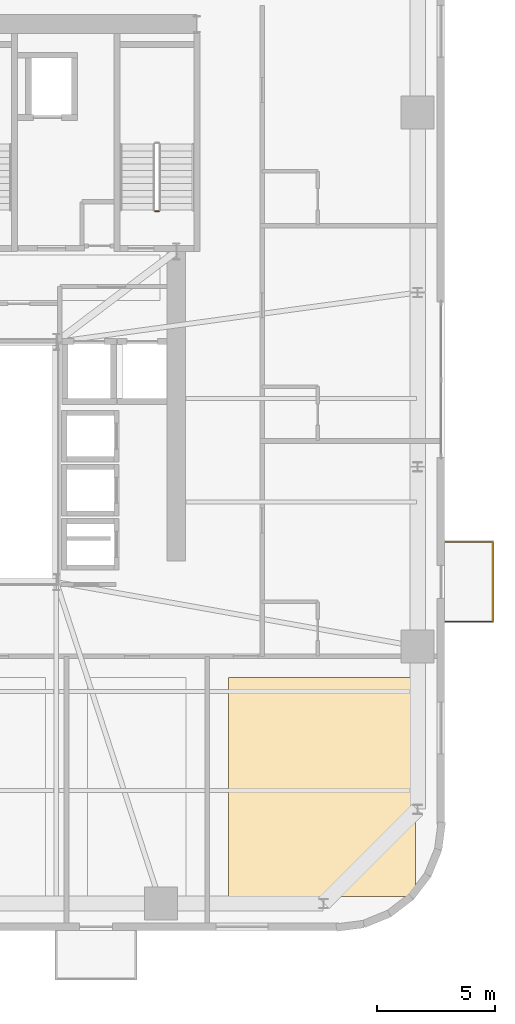
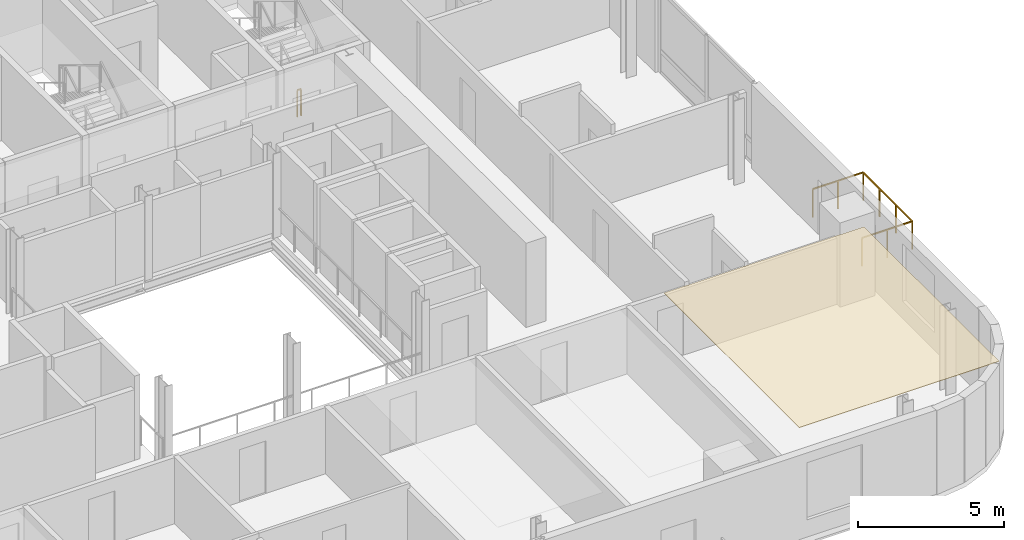
# One storey, part 14 of 15: 2 railings, 1 covering.
"""IFC4 building model written with IfcOpenShell, lengths in metres."""

from ifc_helpers import new_model, si_unit, direction, frame, origin, origin_2d, place, context, subcontext, project, spatial, polyline, rectangle, outline, extrude, source, transform, mapped, material, layer, layer_set, type_object, element, save


model = new_model("IFC4")

# Units and contexts
model_context = context("Model", 3, precision=1e-05, world=origin(), true_north=direction((0.0, 1.0)))
body_context = subcontext(model_context, "Body", "Model", "MODEL_VIEW")
ifc_project = project(units=[si_unit("LENGTHUNIT", "METRE"), si_unit("AREAUNIT", "SQUARE_METRE"), si_unit("VOLUMEUNIT", "CUBIC_METRE"), si_unit("PLANEANGLEUNIT", "RADIAN"), si_unit("MASSUNIT", "GRAM", prefix="KILO")], contexts=[model_context])

# Site, building, storey
site_placement = place(None, origin())
site = spatial("IfcSite", under=ifc_project, at=site_placement, CompositionType="ELEMENT")
building_placement = place(site_placement, origin())
building = spatial("IfcBuilding", under=site, at=building_placement, Name="Vardaveli Station Tower", CompositionType="ELEMENT")
storey_placement = place(building_placement, frame((0.0, 0.0, 207.300048828125)))
storey = spatial("IfcBuildingStorey", under=building, at=storey_placement, Name="L53", CompositionType="ELEMENT", Elevation=207.300048828125)

# Covering
ifc_material_1 = material(Name="Perforated acoustic mineral ceiling")
ifc_layer = layer(ifc_material_1, 0.02001953125, Name="Perforated acoustic mineral ceiling")
ifc_layer_set = layer_set([ifc_layer], Name="Perforated acoustic mineral ceiling")
covering_type = type_object("IfcCoveringType", Name="COV-CEIL-AC20", PredefinedType="CEILING", material=ifc_layer_set)
covering_placement = place(storey_placement, frame((0.0, 0.0, 3.514892578125)))
element("IfcCovering", 1, at=covering_placement, inside=storey, type_object=covering_type, Name="CEIL-L53-4", PredefinedType="CEILING", context=body_context, shape_type="SweptSolid", body=[
    extrude(outline(polyline([(48.719970703125, 3.25), (56.64990234375, 3.25), (56.64990234375, 12.550048828125), (48.719970703125, 12.550048828125), (48.719970703125, 3.25)])), origin(), (0.0, 0.0, 1.0), 0.02001953125),
])

# Railings
ifc_material_2 = material(Name="Laminated glass and stainless steel balustrade", Category="steel")
railing_type_1 = type_object("IfcRailingType", Name="RL-BAL-1200", PredefinedType="BALUSTRADE", material=ifc_material_2)
shared_shape_1 = source(origin(), body_context, "Body", "SweptSolid", [
    extrude(rectangle(XDim=0.048095703125, YDim=0.048095703125, at=origin_2d()), frame((0.0, 0.0, 1.17578125), z_axis=(1.0, 0.0, 0.0), x_axis=(0.0, 1.0, 0.0)), (0.0, 0.0, 1.0), 2.0),
    extrude(rectangle(XDim=0.048095703125, YDim=0.048095703125, at=origin_2d()), frame((2.0, 0.0, 1.17578125), z_axis=(0.0, 1.0, 0.0), x_axis=(-1.0, 0.0, 0.0)), (0.0, 0.0, 1.0), 3.3798828125),
    extrude(rectangle(XDim=0.048095703125, YDim=0.048095703125, at=origin_2d()), frame((2.0, 3.3798828125, 1.17578125), z_axis=(-1.0, 0.0, 0.0), x_axis=(0.0, -1.0, 0.0)), (0.0, 0.0, 1.0), 2.0),
    extrude(rectangle(XDim=0.0419921875, YDim=0.0419921875, at=origin_2d()), origin(), (0.0, 0.0, 1.0), 1.15185546875),
    extrude(rectangle(XDim=0.0419921875, YDim=0.0419921875, at=origin_2d()), frame((1.0, 0.0, 0.0)), (0.0, 0.0, 1.0), 1.15185546875),
    extrude(rectangle(XDim=0.0419921875, YDim=0.0419921875, at=origin_2d()), frame((2.0, 0.0, 0.0)), (0.0, 0.0, 1.0), 1.15185546875),
    extrude(rectangle(XDim=0.0419921875, YDim=0.0419921875, at=origin_2d()), frame((2.0, 1.126708984375, 0.0)), (0.0, 0.0, 1.0), 1.15185546875),
    extrude(rectangle(XDim=0.0419921875, YDim=0.0419921875, at=origin_2d()), frame((2.0, 2.253173828125, 0.0)), (0.0, 0.0, 1.0), 1.15185546875),
    extrude(rectangle(XDim=0.0419921875, YDim=0.0419921875, at=origin_2d()), frame((2.0, 3.3798828125, 0.0)), (0.0, 0.0, 1.0), 1.15185546875),
    extrude(rectangle(XDim=0.0419921875, YDim=0.0419921875, at=origin_2d()), frame((1.0, 3.3798828125, 0.0)), (0.0, 0.0, 1.0), 1.15185546875),
    extrude(rectangle(XDim=0.0419921875, YDim=0.0419921875, at=origin_2d()), frame((0.0, 3.3798828125, 0.0)), (0.0, 0.0, 1.0), 1.15185546875),
])
railing_1_placement = place(storey_placement, frame((57.93994140625, 14.92041015625, 0.0)))
element("IfcRailing", 2, at=railing_1_placement, inside=storey, type_object=railing_type_1, Name="RL-LOG-L53-04", PredefinedType="BALUSTRADE", context=body_context, shape_type="MappedRepresentation", body=[
    mapped(shared_shape_1, transform((0.0, 0.0, 0.0), scale=1.0)),
])
ifc_material_3 = material(Name="Brushed AISI 316 stainless steel", Category="steel")
railing_type_2 = type_object("IfcRailingType", Name="RL-GUARD-1150", PredefinedType="GUARDRAIL", material=ifc_material_3)
shared_shape_2 = source(origin(), body_context, "Body", "SweptSolid", [
    extrude(rectangle(XDim=0.048095703125, YDim=0.048095703125, at=origin_2d()), frame((0.0, 0.0, 1.1259765625), z_axis=(-1.0, 0.0, 0.0), x_axis=(0.0, -1.0, 0.0)), (0.0, 0.0, 1.0), 0.14990234375),
    extrude(rectangle(XDim=0.0419921875, YDim=0.0419921875, at=origin_2d()), origin(), (0.0, 0.0, 1.0), 1.101806640625),
    extrude(rectangle(XDim=0.0419921875, YDim=0.0419921875, at=origin_2d()), frame((-0.14990234375, 0.0, 0.0)), (0.0, 0.0, 1.0), 1.101806640625),
])
railing_2_placement = place(storey_placement, frame((45.75, 32.35009765625, 0.0)))
element("IfcRailing", 3, at=railing_2_placement, inside=storey, type_object=railing_type_2, Name="L53 ST-3 stair guard 4", PredefinedType="GUARDRAIL", context=body_context, shape_type="MappedRepresentation", body=[
    mapped(shared_shape_2, transform((0.0, 0.0, 0.0), scale=1.0)),
])

save(model, "model.ifc")
